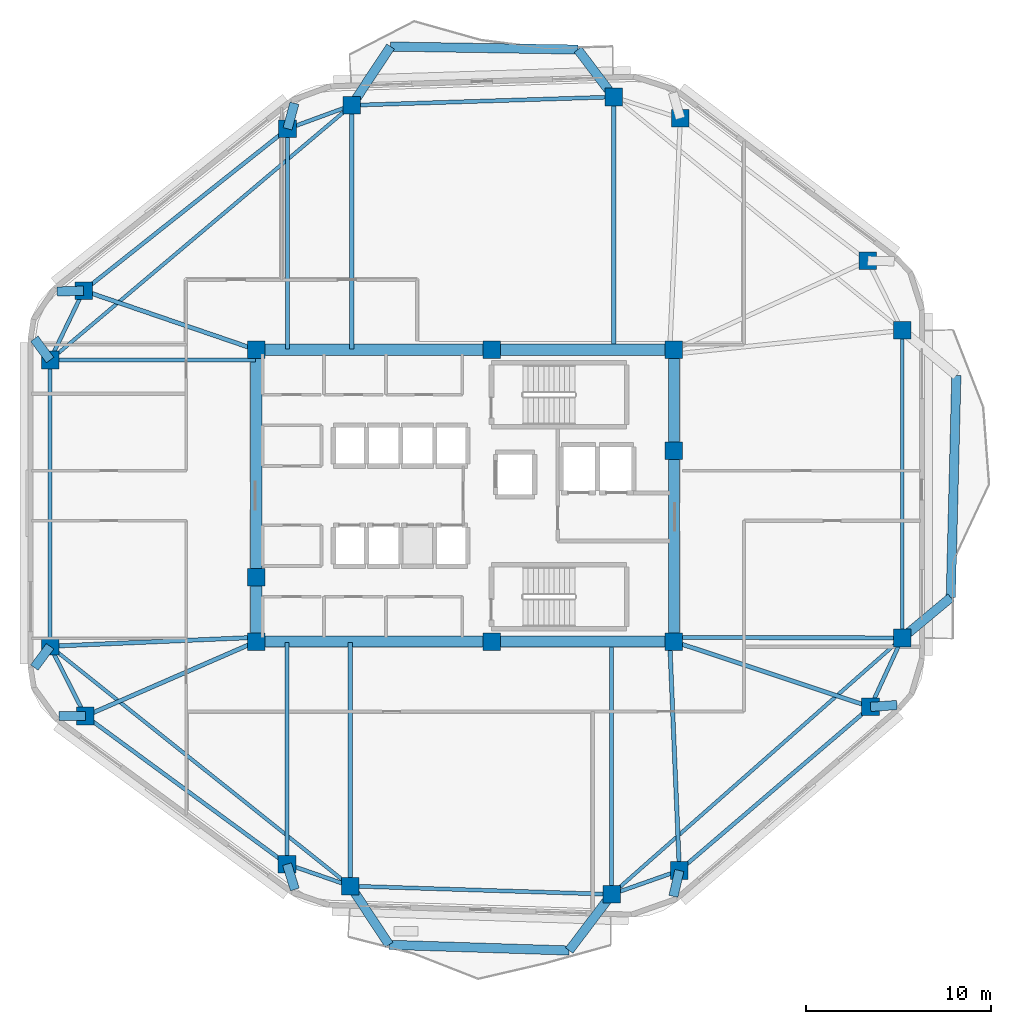
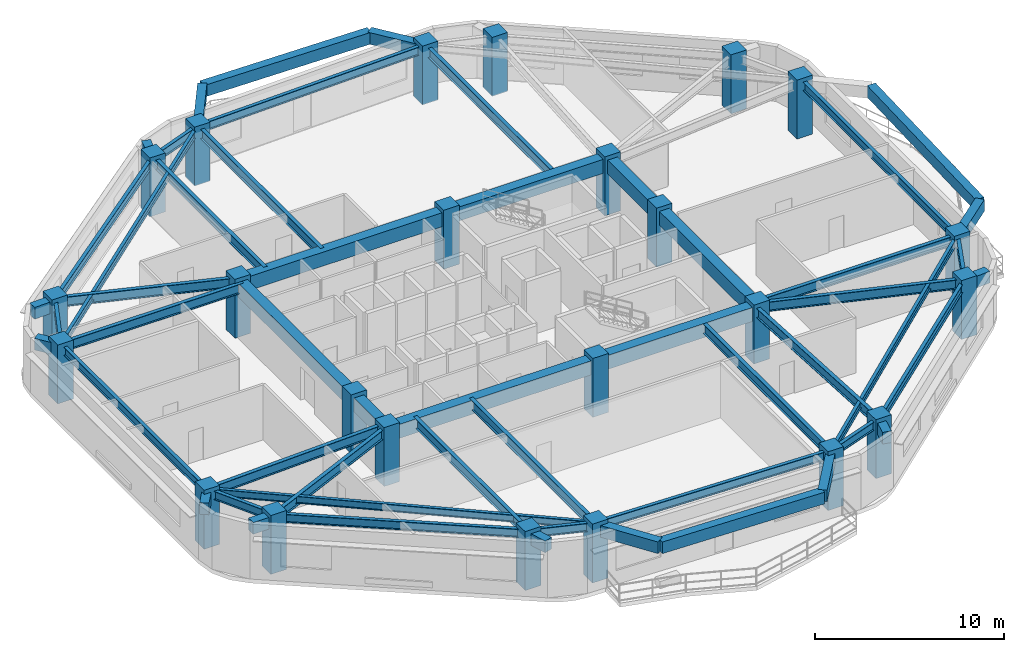
# One storey, part 1 of 9: 53 beams, 24 columns.
"""IFC4 building model written with IfcOpenShell, lengths in metres."""

import ifcopenshell
import ifcopenshell.guid

model = None  # the IFC model being written
_history = None  # IfcOwnerHistory: only IFC2X3 demands one
_inside = {}  # id of a spatial element -> (the spatial element, [elements in it])
_under = {}  # id of a project, library or spatial element -> (it, [spatial elements below it])
_declared = {}  # id of a project -> (the project, [libraries it declares])
_typed = {}  # id of a type object -> (the type object, [elements of that type])
_made_of = {}  # id of a material, layer set ... -> (it, [elements and type objects made of it])


def new_model(schema):
    """Start an empty IFC model of exactly this schema.

    Asked for "IFC4X3", IfcOpenShell would pick the latest addendum, in which some entities
    have other attributes; the version numbers below select the first issue.
    IFC2X3 requires an IfcOwnerHistory on every rooted entity: one is made here for all.
    """
    global model, _history
    if schema == "IFC4X3":
        model = ifcopenshell.file(schema_version=(4, 3, 0, 0))
    else:
        model = ifcopenshell.file(schema=schema)
    _inside.clear()
    _under.clear()
    _declared.clear()
    _typed.clear()
    _made_of.clear()
    _history = None
    if model.schema == "IFC2X3":
        org = make("IfcOrganization", Name="unknown")
        user = make(
            "IfcPersonAndOrganization",
            ThePerson=make("IfcPerson", FamilyName="unknown"),
            TheOrganization=org,
        )
        app = make(
            "IfcApplication",
            ApplicationDeveloper=org,
            Version="unknown",
            ApplicationFullName="unknown",
            ApplicationIdentifier="unknown",
        )
        _history = make(
            "IfcOwnerHistory",
            OwningUser=user,
            OwningApplication=app,
            ChangeAction="ADDED",
            CreationDate=0,
        )
    return model


def make(cls, **values):
    """One entity of the class cls with the attributes given. An attribute that is None is left unset."""
    return model.create_entity(
        cls, **{name: value for name, value in values.items() if value is not None}
    )


def rooted(cls, **values):
    """An entity with a GlobalId (a new one), such as an element, a storey or a relation."""
    return make(cls, GlobalId=ifcopenshell.guid.new(), OwnerHistory=_history, **values)


def si_unit(unit_type, name, prefix=None):
    """IfcSIUnit, for example si_unit("LENGTHUNIT", "METRE", prefix="MILLI")."""
    return make("IfcSIUnit", UnitType=unit_type, Prefix=prefix, Name=name)


def assignment(units):
    """IfcUnitAssignment: the units of a project."""
    return None if units is None else make("IfcUnitAssignment", Units=units)


def point(xyz):
    """IfcCartesianPoint."""
    return None if xyz is None else make("IfcCartesianPoint", Coordinates=xyz)


def direction(xyz):
    """IfcDirection."""
    return None if xyz is None else make("IfcDirection", DirectionRatios=xyz)


def frame(location, z_axis=None, x_axis=None):
    """IfcAxis2Placement3D, a coordinate frame: its origin and axes. An axis left out is left unset."""
    return make(
        "IfcAxis2Placement3D",
        Location=point(location),
        Axis=direction(z_axis),
        RefDirection=direction(x_axis),
    )


def frame_2d(location, x_axis=None):
    """IfcAxis2Placement2D, a coordinate frame in the plane: its origin and x axis."""
    return make(
        "IfcAxis2Placement2D", Location=point(location), RefDirection=direction(x_axis)
    )


def origin():
    """The frame at (0, 0, 0) with its axes left unset."""
    return frame((0.0, 0.0, 0.0))


def origin_2d():
    """The frame at (0, 0) in the plane with its x axis left unset."""
    return frame_2d((0.0, 0.0))


def place(relative_to, where):
    """IfcLocalPlacement: puts the frame where relative to a parent placement (None: the world)."""
    return make(
        "IfcLocalPlacement", PlacementRelTo=relative_to, RelativePlacement=where
    )


def context(
    kind, dimensions, precision=None, world=None, true_north=None, identifier=None
):
    """IfcGeometricRepresentationContext, for example the 3D "Model" context."""
    return make(
        "IfcGeometricRepresentationContext",
        ContextIdentifier=identifier,
        ContextType=kind,
        CoordinateSpaceDimension=dimensions,
        Precision=precision,
        WorldCoordinateSystem=world,
        TrueNorth=true_north,
    )


def subcontext(parent, identifier, kind, view, scale=None):
    """IfcGeometricRepresentationSubContext, for example "Body" below "Model"."""
    return make(
        "IfcGeometricRepresentationSubContext",
        ContextIdentifier=identifier,
        ContextType=kind,
        ParentContext=parent,
        TargetScale=scale,
        TargetView=view,
    )


def project(units=None, contexts=None):
    """IfcProject with its units and contexts."""
    return rooted(
        "IfcProject",
        Name="project",
        RepresentationContexts=contexts,
        UnitsInContext=assignment(units),
    )


def spatial(cls, under=None, at=None, **own):
    """A site, building, storey or space (cls), placed at a placement, below another one or the project."""
    s = rooted(cls, ObjectPlacement=at, **own)
    if under is not None:
        _under.setdefault(under.id(), (under, []))[1].append(s)
    return s


def profile(cls, at=None, kind="AREA", **sizes):
    """A parametric profile (cls). Its sizes go by their IFC names, for example OverallWidth=200.0."""
    return make(cls, ProfileType=kind, Position=at, **sizes)


def rectangle(**sizes):
    """IfcRectangleProfileDef."""
    return profile("IfcRectangleProfileDef", **sizes)


def i_section(**sizes):
    """IfcIShapeProfileDef."""
    return profile("IfcIShapeProfileDef", **sizes)


def extrude(swept, where, along, depth):
    """IfcExtrudedAreaSolid: the profile swept, set in the frame where, extruded along a direction by depth."""
    return make(
        "IfcExtrudedAreaSolid",
        SweptArea=swept,
        Position=where,
        ExtrudedDirection=direction(along),
        Depth=depth,
    )


def shape(context_of_items, identifier, shape_type, items):
    """IfcShapeRepresentation: the items that make up one representation, for example the "Body"."""
    return make(
        "IfcShapeRepresentation",
        ContextOfItems=context_of_items,
        RepresentationIdentifier=identifier,
        RepresentationType=shape_type,
        Items=items,
    )


def material(Name=None, Category=None):
    """IfcMaterial."""
    return make("IfcMaterial", Name=Name, Category=Category)


def material_profile(
    of_material, cross_section, Name=None, Category=None, Priority=None
):
    """IfcMaterialProfile: a cross section and its material."""
    return make(
        "IfcMaterialProfile",
        Name=Name,
        Material=of_material,
        Profile=cross_section,
        Priority=Priority,
        Category=Category,
    )


def profile_set(profiles, Name=None, composite=None):
    """IfcMaterialProfileSet."""
    return make(
        "IfcMaterialProfileSet",
        Name=Name,
        MaterialProfiles=profiles,
        CompositeProfile=composite,
    )


def made_of(thing, what):
    """Note that an element or type object is made of a material, layer set ...; save() writes the relation."""
    if what is not None:
        _made_of.setdefault(what.id(), (what, []))[1].append(thing)
    return thing


def type_object(cls, material=None, **own):
    """A type object (cls), such as IfcWallType, which elements share."""
    return made_of(rooted(cls, **own), material)


def element(
    cls,
    number,
    at=None,
    inside=None,
    cuts=None,
    type_object=None,
    material=None,
    context=None,
    identifier="Body",
    shape_type=None,
    held_by="IfcProductDefinitionShape",
    body=None,
    shapes=None,
    **own,
):
    """One element of the class cls, such as IfcWall. Its Tag is "e" and its number.

    at: its placement. inside: the storey or other place that contains it. cuts: it is an
    opening in that element (IfcRelVoidsElement). A single representation is given by context,
    identifier, shape_type and body (its items); several are given by shapes. held_by: the class
    of the entity that holds the representations. save() writes the other relations.
    """
    e = rooted(cls, Tag="e%d" % number, ObjectPlacement=at, **own)
    if body is not None:
        shapes = [shape(context, identifier, shape_type, body)]
    if shapes is not None:
        e.Representation = make(held_by, Representations=shapes)
    if inside is not None:
        _inside.setdefault(inside.id(), (inside, []))[1].append(e)
    if cuts is not None:
        rooted(
            "IfcRelVoidsElement", RelatingBuildingElement=cuts, RelatedOpeningElement=e
        )
    if type_object is not None:
        _typed.setdefault(type_object.id(), (type_object, []))[1].append(e)
    return made_of(e, material)


def aggregate(whole, parts):
    """IfcRelAggregates: a whole, such as a stair, and the parts it consists of."""
    return rooted("IfcRelAggregates", RelatingObject=whole, RelatedObjects=parts)


def save(model, path):
    """Write the relations noted so far, then the file.

    IfcRelAggregates (storeys below a building ...), IfcRelContainedInSpatialStructure (elements
    in a storey), IfcRelDefinesByType, IfcRelAssociatesMaterial and IfcRelDeclares: one each for
    every whole, place, type object, material and project.
    """
    for whole, parts in _under.values():
        aggregate(whole, parts)
    for where, things in _inside.values():
        rooted(
            "IfcRelContainedInSpatialStructure",
            RelatedElements=things,
            RelatingStructure=where,
        )
    for kind, things in _typed.values():
        rooted("IfcRelDefinesByType", RelatedObjects=things, RelatingType=kind)
    for what, things in _made_of.values():
        rooted("IfcRelAssociatesMaterial", RelatedObjects=things, RelatingMaterial=what)
    for by, libraries in _declared.values():
        rooted("IfcRelDeclares", RelatingContext=by, RelatedDefinitions=libraries)
    model.write(path)


model = new_model("IFC4")

# Units and contexts
model_context = context("Model", 3, precision=1e-05, world=origin(), true_north=direction((0.0, 1.0)))
body_context = subcontext(model_context, "Body", "Model", "MODEL_VIEW")
ifc_project = project(units=[si_unit("LENGTHUNIT", "METRE"), si_unit("AREAUNIT", "SQUARE_METRE"), si_unit("VOLUMEUNIT", "CUBIC_METRE"), si_unit("PLANEANGLEUNIT", "RADIAN"), si_unit("MASSUNIT", "GRAM", prefix="KILO")], contexts=[model_context])

# Site, building, storey
site_placement = place(None, origin())
site = spatial("IfcSite", under=ifc_project, at=site_placement, CompositionType="ELEMENT")
building_placement = place(site_placement, origin())
building = spatial("IfcBuilding", under=site, at=building_placement, Name="Zulverin Broadcast Headquarters", CompositionType="ELEMENT")
storey_placement = place(building_placement, frame((0.0, 0.0, 159.199951171875)))
storey = spatial("IfcBuildingStorey", under=building, at=storey_placement, Name="L40", CompositionType="ELEMENT", Elevation=159.199951171875)

# Columns
ifc_material_1 = material(Name="Concrete C50/60", Category="concrete")
ifc_material_profile_1 = material_profile(ifc_material_1, rectangle(XDim=0.949951171875, YDim=0.949951171875, at=origin_2d()), Name="Concrete C50/60", Category="concrete")
ifc_profile_set_1 = profile_set([ifc_material_profile_1], Name="Concrete C50/60")
column_type_1 = type_object("IfcColumnType", Name="COL-RC-950", PredefinedType="COLUMN", material=ifc_profile_set_1)
for number, where, z_axis, x_axis, name in (
    (1, (30.80859375, 4.12744140625, 0.0), (0.0, 0.0, 1.0), (1.0, 0.0, 0.0), "L40 Perimeter Column T01"),
    (2, (44.909912109375, 3.68017578125, 0.0), (0.0, 0.0, 1.0), (1.0, 0.0, 0.0), "L40 Perimeter Column T02"),
    (3, (48.569580078125, 4.967041015625, 0.0), (0.0, 0.0, 1.0), (1.0, 0.0, 0.0), "L40 Perimeter Column T03"),
    (4, (58.886962890625, 13.798095703125, 0.0), (0.0, 0.0, 1.0), (1.0, 0.0, 0.0), "L40 Perimeter Column T04"),
    (5, (60.60009765625, 17.519287109375, 0.0), (0.0, 0.0, 1.0), (1.0, 0.0, 0.0), "L40 Perimeter Column T05"),
    (6, (60.60009765625, 34.12158203125, 0.0), (0.0, 0.0, 1.0), (1.0, 0.0, 0.0), "L40 Perimeter Column T06"),
    (7, (58.738037109375, 37.877685546875, 0.0), (0.0, 0.0, 1.0), (1.0, 0.0, 0.0), "L40 Perimeter Column T07"),
    (8, (48.62158203125, 45.574951171875, 0.0), (0.0, 0.0, 1.0), (1.0, 0.0, 0.0), "L40 Perimeter Column T08"),
    (9, (45.027587890625, 46.7236328125, 0.0), (0.0, 0.0, 1.0), (1.0, 0.0, 0.0), "L40 Perimeter Column T09"),
    (10, (30.882080078125, 46.27490234375, 0.0), (0.0, 0.0, 1.0), (1.0, 0.0, 0.0), "L40 Perimeter Column T10"),
    (11, (27.416259765625, 45.00439453125, 0.0), (0.0, 0.0, 1.0), (1.0, 0.0, 0.0), "L40 Perimeter Column T11"),
    (12, (16.40869140625, 36.26806640625, 0.0), (0.0, 0.0, 1.0), (1.0, 0.0, 0.0), "L40 Perimeter Column T12"),
    (13, (14.60009765625, 32.523193359375, 0.0), (0.0, 0.0, 1.0), (1.0, 0.0, 0.0), "L40 Perimeter Column T13"),
    (14, (14.60009765625, 17.072021484375, 0.0), (0.0, 0.0, 1.0), (1.0, 0.0, 0.0), "L40 Perimeter Column T14"),
    (15, (16.50537109375, 13.306884765625, 0.0), (0.0, 0.0, 1.0), (1.0, 0.0, 0.0), "L40 Perimeter Column T15"),
    (16, (27.38720703125, 5.309814453125, 0.0), (0.0, 0.0, 1.0), (1.0, 0.0, 0.0), "L40 Perimeter Column T16"),
):
    element("IfcColumn", number, at=place(storey_placement, frame(where, z_axis=z_axis, x_axis=x_axis)), inside=storey, type_object=column_type_1, Name=name, PredefinedType="COLUMN", context=body_context, shape_type="SweptSolid", body=[
        extrude(rectangle(XDim=0.949951171875, YDim=0.949951171875, at=origin_2d()), origin(), (0.0, 0.0, 1.0), 3.800048828125),
    ])
ifc_material_profile_2 = material_profile(ifc_material_1, rectangle(XDim=0.949951171875, YDim=0.949951171875, at=origin_2d()), Name="Concrete C50/60", Category="concrete")
ifc_profile_set_2 = profile_set([ifc_material_profile_2], Name="Concrete C50/60")
column_type_2 = type_object("IfcColumnType", Name="PIL-RC-950", PredefinedType="PILASTER", material=ifc_profile_set_2)
for number, where, z_axis, x_axis, name in (
    (17, (25.72509765625, 17.324951171875, 0.0), (0.0, 0.0, 1.0), (1.0, 0.0, 0.0), "L40 Core Pilaster K01"),
    (18, (38.449951171875, 17.324951171875, 0.0), (0.0, 0.0, 1.0), (1.0, 0.0, 0.0), "L40 Core Pilaster K02"),
    (19, (48.27490234375, 17.324951171875, 0.0), (0.0, 0.0, 1.0), (1.0, 0.0, 0.0), "L40 Core Pilaster K03"),
    (20, (48.27490234375, 27.6201171875, 0.0), (0.0, 0.0, 1.0), (1.0, 0.0, 0.0), "L40 Core Pilaster K04"),
    (21, (48.27490234375, 33.074951171875, 0.0), (0.0, 0.0, 1.0), (1.0, 0.0, 0.0), "L40 Core Pilaster K05"),
    (22, (38.449951171875, 33.074951171875, 0.0), (0.0, 0.0, 1.0), (1.0, 0.0, 0.0), "L40 Core Pilaster K06"),
    (23, (25.72509765625, 33.074951171875, 0.0), (0.0, 0.0, 1.0), (1.0, 0.0, 0.0), "L40 Core Pilaster K07"),
    (24, (25.72509765625, 20.800048828125, 0.0), (0.0, 0.0, 1.0), (1.0, 0.0, 0.0), "L40 Core Pilaster K08"),
):
    element("IfcColumn", number, at=place(storey_placement, frame(where, z_axis=z_axis, x_axis=x_axis)), inside=storey, type_object=column_type_2, Name=name, PredefinedType="PILASTER", context=body_context, shape_type="SweptSolid", body=[
        extrude(rectangle(XDim=0.949951171875, YDim=0.949951171875, at=origin_2d()), origin(), (0.0, 0.0, 1.0), 3.800048828125),
    ])

# Beams
ifc_material_2 = material(Name="Concrete C60/75", Category="concrete")
ifc_material_profile_3 = material_profile(ifc_material_2, rectangle(XDim=0.60009765625, YDim=0.89990234375, at=origin_2d()), Name="Concrete C60/75", Category="concrete")
ifc_profile_set_3 = profile_set([ifc_material_profile_3], Name="Concrete C60/75")
beam_type_1 = type_object("IfcBeamType", Name="BM-CB-600x900", PredefinedType="LINTEL", material=ifc_profile_set_3)
beam_1_placement = place(storey_placement, frame((25.72509765625, 17.324951171875, 3.090087890625), z_axis=(1.0, 0.0, 0.0), x_axis=(0.0, 1.0, 0.0)))
element("IfcBeam", 25, at=beam_1_placement, inside=storey, type_object=beam_type_1, Name="L40 Core Coupling Girder K01-K02", PredefinedType="LINTEL", context=body_context, shape_type="SweptSolid", body=[
    extrude(rectangle(XDim=0.60009765625, YDim=0.89990234375, at=origin_2d()), origin(), (0.0, 0.0, 1.0), 12.724853515625),
])
beam_2_placement = place(storey_placement, frame((38.449951171875, 17.324951171875, 3.090087890625), z_axis=(1.0, 0.0, 0.0), x_axis=(0.0, 1.0, 0.0)))
element("IfcBeam", 26, at=beam_2_placement, inside=storey, type_object=beam_type_1, Name="L40 Core Coupling Girder K02-K03", PredefinedType="LINTEL", context=body_context, shape_type="SweptSolid", body=[
    extrude(rectangle(XDim=0.60009765625, YDim=0.89990234375, at=origin_2d()), origin(), (0.0, 0.0, 1.0), 9.824951171875),
])
beam_3_placement = place(storey_placement, frame((48.27490234375, 17.324951171875, 3.090087890625), z_axis=(0.0, 1.0, 0.0), x_axis=(-1.0, 0.0, 0.0)))
element("IfcBeam", 27, at=beam_3_placement, inside=storey, type_object=beam_type_1, Name="L40 Core Coupling Girder K03-K04", PredefinedType="LINTEL", context=body_context, shape_type="SweptSolid", body=[
    extrude(rectangle(XDim=0.60009765625, YDim=0.89990234375, at=origin_2d()), origin(), (0.0, 0.0, 1.0), 10.295166015625),
])
beam_4_placement = place(storey_placement, frame((48.27490234375, 27.6201171875, 3.090087890625), z_axis=(0.0, 1.0, 0.0), x_axis=(-1.0, 0.0, 0.0)))
element("IfcBeam", 28, at=beam_4_placement, inside=storey, type_object=beam_type_1, Name="L40 Core Coupling Girder K04-K05", PredefinedType="LINTEL", context=body_context, shape_type="SweptSolid", body=[
    extrude(rectangle(XDim=0.60009765625, YDim=0.89990234375, at=origin_2d()), origin(), (0.0, 0.0, 1.0), 5.454833984375),
])
beam_5_placement = place(storey_placement, frame((48.27490234375, 33.074951171875, 3.090087890625), z_axis=(-1.0, 0.0, 0.0), x_axis=(0.0, -1.0, 0.0)))
element("IfcBeam", 29, at=beam_5_placement, inside=storey, type_object=beam_type_1, Name="L40 Core Coupling Girder K05-K06", PredefinedType="LINTEL", context=body_context, shape_type="SweptSolid", body=[
    extrude(rectangle(XDim=0.60009765625, YDim=0.89990234375, at=origin_2d()), origin(), (0.0, 0.0, 1.0), 9.824951171875),
])
beam_6_placement = place(storey_placement, frame((38.449951171875, 33.074951171875, 3.090087890625), z_axis=(-1.0, 0.0, 0.0), x_axis=(0.0, -1.0, 0.0)))
element("IfcBeam", 30, at=beam_6_placement, inside=storey, type_object=beam_type_1, Name="L40 Core Coupling Girder K06-K07", PredefinedType="LINTEL", context=body_context, shape_type="SweptSolid", body=[
    extrude(rectangle(XDim=0.60009765625, YDim=0.89990234375, at=origin_2d()), origin(), (0.0, 0.0, 1.0), 12.724853515625),
])
beam_7_placement = place(storey_placement, frame((25.72509765625, 33.074951171875, 3.090087890625), z_axis=(0.0, -1.0, 0.0), x_axis=(1.0, 0.0, 0.0)))
element("IfcBeam", 31, at=beam_7_placement, inside=storey, type_object=beam_type_1, Name="L40 Core Coupling Girder K07-K08", PredefinedType="LINTEL", context=body_context, shape_type="SweptSolid", body=[
    extrude(rectangle(XDim=0.60009765625, YDim=0.89990234375, at=origin_2d()), origin(), (0.0, 0.0, 1.0), 12.27490234375),
])
beam_8_placement = place(storey_placement, frame((25.72509765625, 20.800048828125, 3.090087890625), z_axis=(0.0, -1.0, 0.0), x_axis=(1.0, 0.0, 0.0)))
element("IfcBeam", 32, at=beam_8_placement, inside=storey, type_object=beam_type_1, Name="L40 Core Coupling Girder K08-K01", PredefinedType="LINTEL", context=body_context, shape_type="SweptSolid", body=[
    extrude(rectangle(XDim=0.60009765625, YDim=0.89990234375, at=origin_2d()), origin(), (0.0, 0.0, 1.0), 3.47509765625),
])
ifc_material_3 = material(Name="Concrete C40/50", Category="concrete")
ifc_material_profile_4 = material_profile(ifc_material_3, rectangle(XDim=0.5, YDim=0.75, at=origin_2d()), Name="Concrete C40/50", Category="concrete")
ifc_profile_set_4 = profile_set([ifc_material_profile_4], Name="Concrete C40/50")
beam_type_2 = type_object("IfcBeamType", Name="BM-RC-500x750", PredefinedType="BEAM", material=ifc_profile_set_4)
for number, where, z_axis, x_axis, name in (
    (33, (48.569580078125, 4.967041015625, 3.1650390625), (-0.224497908308, -0.974474570815, 0.0), (0.974474570815, -0.224497908308, 0.0), "L41 Plate Overhang Back-Spanned Beam OVR-03"),
    (34, (58.886962890625, 13.798095703125, 3.1650390625), (0.997450894981, 0.071356233801, 0.0), (-0.071356233801, 0.997450894981, 0.0), "L41 Plate Overhang Back-Spanned Beam OVR-04"),
    (35, (27.416259765625, 45.00439453125, 3.1650390625), (0.260328526912, 0.965520097189, 0.0), (-0.965520097189, 0.260328526912, 0.0), "L41 Plate Overhang Back-Spanned Beam OVR-11"),
):
    element("IfcBeam", number, at=place(storey_placement, frame(where, z_axis=z_axis, x_axis=x_axis)), inside=storey, type_object=beam_type_2, Name=name, PredefinedType="BEAM", context=body_context, shape_type="SweptSolid", body=[
        extrude(rectangle(XDim=0.5, YDim=0.75, at=origin_2d()), origin(), (0.0, 0.0, 1.0), 1.43017578125),
    ])
for number, where, z_axis, x_axis, name in (
    (36, (16.40869140625, 36.26806640625, 3.1650390625), (-0.999411057508, -0.034315275463, 0.0), (0.034315275463, -0.999411057508, 0.0), "L41 Plate Overhang Back-Spanned Beam OVR-12"),
    (37, (14.60009765625, 32.523193359375, 3.1650390625), (-0.594467864193, 0.804119368279, 0.0), (-0.804119368279, -0.594467864193, 0.0), "L41 Plate Overhang Back-Spanned Beam OVR-13"),
):
    element("IfcBeam", number, at=place(storey_placement, frame(where, z_axis=z_axis, x_axis=x_axis)), inside=storey, type_object=beam_type_2, Name=name, PredefinedType="BEAM", context=body_context, shape_type="SweptSolid", body=[
        extrude(rectangle(XDim=0.5, YDim=0.75, at=origin_2d()), origin(), (0.0, 0.0, 1.0), 1.429931640625),
    ])
beam_9_placement = place(storey_placement, frame((14.60009765625, 17.072021484375, 3.1650390625), z_axis=(-0.594386261368, -0.80417968906, 0.0), x_axis=(0.80417968906, -0.594386261368, 0.0)))
element("IfcBeam", 38, at=beam_9_placement, inside=storey, type_object=beam_type_2, Name="L41 Plate Overhang Back-Spanned Beam OVR-14", PredefinedType="BEAM", context=body_context, shape_type="SweptSolid", body=[
    extrude(rectangle(XDim=0.5, YDim=0.75, at=origin_2d()), origin(), (0.0, 0.0, 1.0), 1.43017578125),
])
beam_10_placement = place(storey_placement, frame((16.50537109375, 13.306884765625, 3.1650390625), z_axis=(-0.999996268726, -0.002731763753, 0.0), x_axis=(0.002731763753, -0.999996268726, 0.0)))
element("IfcBeam", 39, at=beam_10_placement, inside=storey, type_object=beam_type_2, Name="L41 Plate Overhang Back-Spanned Beam OVR-15", PredefinedType="BEAM", context=body_context, shape_type="SweptSolid", body=[
    extrude(rectangle(XDim=0.5, YDim=0.75, at=origin_2d()), origin(), (0.0, 0.0, 1.0), 1.429931640625),
])
beam_11_placement = place(storey_placement, frame((27.38720703125, 5.309814453125, 3.1650390625), z_axis=(0.296184429368, -0.955130767905, 0.0), x_axis=(0.955130767905, 0.296184429368, 0.0)))
element("IfcBeam", 40, at=beam_11_placement, inside=storey, type_object=beam_type_2, Name="L41 Plate Overhang Back-Spanned Beam OVR-16", PredefinedType="BEAM", context=body_context, shape_type="SweptSolid", body=[
    extrude(rectangle(XDim=0.5, YDim=0.75, at=origin_2d()), origin(), (0.0, 0.0, 1.0), 1.43017578125),
])
beam_12_placement = place(storey_placement, frame((60.60009765625, 17.519287109375, 3.1650390625), z_axis=(0.768414935557, 0.639951941019, 0.0), x_axis=(-0.639951941019, 0.768414935557, 0.0)))
element("IfcBeam", 41, at=beam_12_placement, inside=storey, type_object=beam_type_2, Name="L41 Balcony Column-Framed Cantilever BAL_E-1", PredefinedType="BEAM", context=body_context, shape_type="SweptSolid", body=[
    extrude(rectangle(XDim=0.5, YDim=0.75, at=origin_2d()), origin(), (0.0, 0.0, 1.0), 3.409423828125),
])
beam_13_placement = place(storey_placement, frame((63.219970703125, 19.701171875, 3.1650390625), z_axis=(0.025020166122, 0.999686946642, 0.0), x_axis=(-0.999686946642, 0.025020166122, 0.0)))
element("IfcBeam", 42, at=beam_13_placement, inside=storey, type_object=beam_type_2, Name="L41 Balcony Outer Edge Trimmer Beam BAL_E", PredefinedType="BEAM", context=body_context, shape_type="SweptSolid", body=[
    extrude(rectangle(XDim=0.5, YDim=0.75, at=origin_2d()), origin(), (0.0, 0.0, 1.0), 11.9921875),
])
beam_14_placement = place(storey_placement, frame((30.80859375, 4.12744140625, 3.1650390625), z_axis=(0.550750010235, -0.834670249995, 0.0), x_axis=(0.834670249995, 0.550750010235, 0.0)))
element("IfcBeam", 43, at=beam_14_placement, inside=storey, type_object=beam_type_2, Name="L41 Balcony Column-Framed Cantilever BAL_S-1", PredefinedType="BEAM", context=body_context, shape_type="SweptSolid", body=[
    extrude(rectangle(XDim=0.5, YDim=0.75, at=origin_2d()), origin(), (0.0, 0.0, 1.0), 3.7998046875),
])
beam_15_placement = place(storey_placement, frame((44.909912109375, 3.68017578125, 3.1650390625), z_axis=(-0.602566759329, -0.798068481116, 0.0), x_axis=(0.798068481116, -0.602566759329, 0.0)))
element("IfcBeam", 44, at=beam_15_placement, inside=storey, type_object=beam_type_2, Name="L41 Balcony Column-Framed Cantilever BAL_S-2", PredefinedType="BEAM", context=body_context, shape_type="SweptSolid", body=[
    extrude(rectangle(XDim=0.5, YDim=0.75, at=origin_2d()), origin(), (0.0, 0.0, 1.0), 3.800048828125),
])
beam_16_placement = place(storey_placement, frame((32.9013671875, 0.955810546875, 3.1650390625), z_axis=(0.999497069167, -0.031711334364, 0.0), x_axis=(0.031711334364, 0.999497069167, 0.0)))
element("IfcBeam", 45, at=beam_16_placement, inside=storey, type_object=beam_type_2, Name="L41 Balcony Outer Edge Trimmer Beam BAL_S", PredefinedType="BEAM", context=body_context, shape_type="SweptSolid", body=[
    extrude(rectangle(XDim=0.5, YDim=0.75, at=origin_2d()), origin(), (0.0, 0.0, 1.0), 9.7236328125),
])
beam_17_placement = place(storey_placement, frame((45.027587890625, 46.7236328125, 3.1650390625), z_axis=(-0.60375228791, 0.797171985737, 0.0), x_axis=(-0.797171985737, -0.60375228791, 0.0)))
element("IfcBeam", 46, at=beam_17_placement, inside=storey, type_object=beam_type_2, Name="L41 Balcony Column-Framed Cantilever BAL_N-1", PredefinedType="BEAM", context=body_context, shape_type="SweptSolid", body=[
    extrude(rectangle(XDim=0.5, YDim=0.75, at=origin_2d()), origin(), (0.0, 0.0, 1.0), 3.211181640625),
])
beam_18_placement = place(storey_placement, frame((30.882080078125, 46.27490234375, 3.1650390625), z_axis=(0.551998960416, 0.833844798329, 0.0), x_axis=(-0.833844798329, 0.551998960416, 0.0)))
element("IfcBeam", 47, at=beam_18_placement, inside=storey, type_object=beam_type_2, Name="L41 Balcony Column-Framed Cantilever BAL_N-2", PredefinedType="BEAM", context=body_context, shape_type="SweptSolid", body=[
    extrude(rectangle(XDim=0.5, YDim=0.75, at=origin_2d()), origin(), (0.0, 0.0, 1.0), 3.800048828125),
])
beam_19_placement = place(storey_placement, frame((43.0888671875, 49.283447265625, 3.1650390625), z_axis=(-0.999874527542, 0.015840744079, 0.0), x_axis=(-0.015840744079, -0.999874527542, 0.0)))
element("IfcBeam", 48, at=beam_19_placement, inside=storey, type_object=beam_type_2, Name="L41 Balcony Outer Edge Trimmer Beam BAL_N", PredefinedType="BEAM", context=body_context, shape_type="SweptSolid", body=[
    extrude(rectangle(XDim=0.5, YDim=0.75, at=origin_2d()), origin(), (0.0, 0.0, 1.0), 10.1103515625),
])
ifc_material_4 = material(Name="Structural steel S355JR", Category="steel")
ifc_material_profile_5 = material_profile(ifc_material_4, i_section(OverallWidth=0.19287109375, OverallDepth=0.46728515625, WebThickness=0.011474609375, FlangeThickness=0.01953125, at=origin_2d()), Name="Structural steel S355JR", Category="steel")
ifc_profile_set_5 = profile_set([ifc_material_profile_5], Name="Structural steel S355JR")
beam_type_3 = type_object("IfcBeamType", Name="BM-UB-457", PredefinedType="JOIST", material=ifc_profile_set_5)
beam_20_placement = place(storey_placement, frame((44.909912109375, 3.68017578125, 3.306396484375), z_axis=(0.74996043981, 0.661482682102, 0.0), x_axis=(-0.661482682102, 0.74996043981, 0.0)))
element("IfcBeam", 49, at=beam_20_placement, inside=storey, type_object=beam_type_3, Name="L40 Chordal Floor Joist J-01", PredefinedType="JOIST", context=body_context, shape_type="SweptSolid", body=[
    extrude(i_section(OverallWidth=0.19287109375, OverallDepth=0.46728515625, WebThickness=0.011474609375, FlangeThickness=0.01953125, at=origin_2d()), origin(), (0.0, 0.0, 1.0), 20.92138671875),
])
beam_21_placement = place(storey_placement, frame((30.882080078125, 46.27490234375, 3.306396484375), z_axis=(-0.763972566446, -0.645248725468, 0.0), x_axis=(0.645248725468, -0.763972566446, 0.0)))
element("IfcBeam", 50, at=beam_21_placement, inside=storey, type_object=beam_type_3, Name="L40 Chordal Floor Joist J-03", PredefinedType="JOIST", context=body_context, shape_type="SweptSolid", body=[
    extrude(i_section(OverallWidth=0.19287109375, OverallDepth=0.46728515625, WebThickness=0.011474609375, FlangeThickness=0.01953125, at=origin_2d()), origin(), (0.0, 0.0, 1.0), 21.312255859375),
])
beam_22_placement = place(storey_placement, frame((14.60009765625, 17.072021484375, 3.306396484375), z_axis=(0.781390996609, -0.624041753746, 0.0), x_axis=(0.624041753746, 0.781390996609, 0.0)))
element("IfcBeam", 51, at=beam_22_placement, inside=storey, type_object=beam_type_3, Name="L40 Chordal Floor Joist J-04", PredefinedType="JOIST", context=body_context, shape_type="SweptSolid", body=[
    extrude(i_section(OverallWidth=0.19287109375, OverallDepth=0.46728515625, WebThickness=0.011474609375, FlangeThickness=0.01953125, at=origin_2d()), origin(), (0.0, 0.0, 1.0), 20.7431640625),
])
ifc_material_profile_6 = material_profile(ifc_material_4, i_section(OverallWidth=0.2119140625, OverallDepth=0.54443359375, WebThickness=0.0126953125, FlangeThickness=0.021240234375, at=origin_2d()), Name="Structural steel S355JR", Category="steel")
ifc_profile_set_6 = profile_set([ifc_material_profile_6], Name="Structural steel S355JR")
beam_type_4 = type_object("IfcBeamType", Name="BM-UB-533", PredefinedType="SPANDREL", material=ifc_profile_set_6)
beam_23_placement = place(storey_placement, frame((30.80859375, 4.12744140625, 3.267822265625), z_axis=(0.999497363437, -0.031702058031, 0.0), x_axis=(0.031702058031, 0.999497363437, 0.0)))
element("IfcBeam", 52, at=beam_23_placement, inside=storey, type_object=beam_type_4, Name="L40 Perimeter Spandrel Beam SP-01", PredefinedType="SPANDREL", context=body_context, shape_type="SweptSolid", body=[
    extrude(i_section(OverallWidth=0.2119140625, OverallDepth=0.54443359375, WebThickness=0.0126953125, FlangeThickness=0.021240234375, at=origin_2d()), origin(), (0.0, 0.0, 1.0), 14.1083984375),
])
beam_24_placement = place(storey_placement, frame((44.909912109375, 3.68017578125, 3.267822265625), z_axis=(0.943376593622, 0.331723684121, 0.0), x_axis=(-0.331723684121, 0.943376593622, 0.0)))
element("IfcBeam", 53, at=beam_24_placement, inside=storey, type_object=beam_type_4, Name="L40 Perimeter Spandrel Beam SP-02", PredefinedType="SPANDREL", context=body_context, shape_type="SweptSolid", body=[
    extrude(i_section(OverallWidth=0.2119140625, OverallDepth=0.54443359375, WebThickness=0.0126953125, FlangeThickness=0.021240234375, at=origin_2d()), origin(), (0.0, 0.0, 1.0), 3.87939453125),
])
beam_25_placement = place(storey_placement, frame((48.569580078125, 4.967041015625, 3.267822265625), z_axis=(0.759708170965, 0.650264173217, 0.0), x_axis=(-0.650264173217, 0.759708170965, 0.0)))
element("IfcBeam", 54, at=beam_25_placement, inside=storey, type_object=beam_type_4, Name="L40 Perimeter Spandrel Beam SP-03", PredefinedType="SPANDREL", context=body_context, shape_type="SweptSolid", body=[
    extrude(i_section(OverallWidth=0.2119140625, OverallDepth=0.54443359375, WebThickness=0.0126953125, FlangeThickness=0.021240234375, at=origin_2d()), origin(), (0.0, 0.0, 1.0), 13.580810546875),
])
beam_26_placement = place(storey_placement, frame((58.886962890625, 13.798095703125, 3.267822265625), z_axis=(0.418184975358, 0.90836189175, 0.0), x_axis=(-0.90836189175, 0.418184975358, 0.0)))
element("IfcBeam", 55, at=beam_26_placement, inside=storey, type_object=beam_type_4, Name="L40 Perimeter Spandrel Beam SP-04", PredefinedType="SPANDREL", context=body_context, shape_type="SweptSolid", body=[
    extrude(i_section(OverallWidth=0.2119140625, OverallDepth=0.54443359375, WebThickness=0.0126953125, FlangeThickness=0.021240234375, at=origin_2d()), origin(), (0.0, 0.0, 1.0), 4.0966796875),
])
beam_27_placement = place(storey_placement, frame((60.60009765625, 17.519287109375, 3.267822265625), z_axis=(0.0, 1.0, 0.0), x_axis=(-1.0, 0.0, 0.0)))
element("IfcBeam", 56, at=beam_27_placement, inside=storey, type_object=beam_type_4, Name="L40 Perimeter Spandrel Beam SP-05", PredefinedType="SPANDREL", context=body_context, shape_type="SweptSolid", body=[
    extrude(i_section(OverallWidth=0.2119140625, OverallDepth=0.54443359375, WebThickness=0.0126953125, FlangeThickness=0.021240234375, at=origin_2d()), origin(), (0.0, 0.0, 1.0), 16.602294921875),
])
beam_28_placement = place(storey_placement, frame((45.027587890625, 46.7236328125, 3.267822265625), z_axis=(-0.999497221833, -0.031706522156, 0.0), x_axis=(0.031706522156, -0.999497221833, 0.0)))
element("IfcBeam", 57, at=beam_28_placement, inside=storey, type_object=beam_type_4, Name="L40 Perimeter Spandrel Beam SP-09", PredefinedType="SPANDREL", context=body_context, shape_type="SweptSolid", body=[
    extrude(i_section(OverallWidth=0.2119140625, OverallDepth=0.54443359375, WebThickness=0.0126953125, FlangeThickness=0.021240234375, at=origin_2d()), origin(), (0.0, 0.0, 1.0), 14.152587890625),
])
beam_29_placement = place(storey_placement, frame((30.882080078125, 46.27490234375, 3.267822265625), z_axis=(-0.938901965426, -0.344184687805, 0.0), x_axis=(0.344184687805, -0.938901965426, 0.0)))
element("IfcBeam", 58, at=beam_29_placement, inside=storey, type_object=beam_type_4, Name="L40 Perimeter Spandrel Beam SP-10", PredefinedType="SPANDREL", context=body_context, shape_type="SweptSolid", body=[
    extrude(i_section(OverallWidth=0.2119140625, OverallDepth=0.54443359375, WebThickness=0.0126953125, FlangeThickness=0.021240234375, at=origin_2d()), origin(), (0.0, 0.0, 1.0), 3.69140625),
])
beam_30_placement = place(storey_placement, frame((27.416259765625, 45.00439453125, 3.267822265625), z_axis=(-0.783283263401, -0.621664965457, 0.0), x_axis=(0.621664965457, -0.783283263401, 0.0)))
element("IfcBeam", 59, at=beam_30_placement, inside=storey, type_object=beam_type_4, Name="L40 Perimeter Spandrel Beam SP-11", PredefinedType="SPANDREL", context=body_context, shape_type="SweptSolid", body=[
    extrude(i_section(OverallWidth=0.2119140625, OverallDepth=0.54443359375, WebThickness=0.0126953125, FlangeThickness=0.021240234375, at=origin_2d()), origin(), (0.0, 0.0, 1.0), 14.05322265625),
])
beam_31_placement = place(storey_placement, frame((16.40869140625, 36.26806640625, 3.267822265625), z_axis=(-0.434890248034, -0.900483465792, 0.0), x_axis=(0.900483465792, -0.434890248034, 0.0)))
element("IfcBeam", 60, at=beam_31_placement, inside=storey, type_object=beam_type_4, Name="L40 Perimeter Spandrel Beam SP-12", PredefinedType="SPANDREL", context=body_context, shape_type="SweptSolid", body=[
    extrude(i_section(OverallWidth=0.2119140625, OverallDepth=0.54443359375, WebThickness=0.0126953125, FlangeThickness=0.021240234375, at=origin_2d()), origin(), (0.0, 0.0, 1.0), 4.15869140625),
])
beam_32_placement = place(storey_placement, frame((14.60009765625, 32.523193359375, 3.267822265625), z_axis=(0.0, -1.0, 0.0), x_axis=(1.0, 0.0, 0.0)))
element("IfcBeam", 61, at=beam_32_placement, inside=storey, type_object=beam_type_4, Name="L40 Perimeter Spandrel Beam SP-13", PredefinedType="SPANDREL", context=body_context, shape_type="SweptSolid", body=[
    extrude(i_section(OverallWidth=0.2119140625, OverallDepth=0.54443359375, WebThickness=0.0126953125, FlangeThickness=0.021240234375, at=origin_2d()), origin(), (0.0, 0.0, 1.0), 15.451171875),
])
beam_33_placement = place(storey_placement, frame((14.60009765625, 17.072021484375, 3.267822265625), z_axis=(0.451512947895, -0.892264567201, 0.0), x_axis=(0.892264567201, 0.451512947895, 0.0)))
element("IfcBeam", 62, at=beam_33_placement, inside=storey, type_object=beam_type_4, Name="L40 Perimeter Spandrel Beam SP-14", PredefinedType="SPANDREL", context=body_context, shape_type="SweptSolid", body=[
    extrude(i_section(OverallWidth=0.2119140625, OverallDepth=0.54443359375, WebThickness=0.0126953125, FlangeThickness=0.021240234375, at=origin_2d()), origin(), (0.0, 0.0, 1.0), 4.2197265625),
])
beam_34_placement = place(storey_placement, frame((16.50537109375, 13.306884765625, 3.267822265625), z_axis=(0.805802234061, -0.592184734338, 0.0), x_axis=(0.592184734338, 0.805802234061, 0.0)))
element("IfcBeam", 63, at=beam_34_placement, inside=storey, type_object=beam_type_4, Name="L40 Perimeter Spandrel Beam SP-15", PredefinedType="SPANDREL", context=body_context, shape_type="SweptSolid", body=[
    extrude(i_section(OverallWidth=0.2119140625, OverallDepth=0.54443359375, WebThickness=0.0126953125, FlangeThickness=0.021240234375, at=origin_2d()), origin(), (0.0, 0.0, 1.0), 13.50439453125),
])
beam_35_placement = place(storey_placement, frame((27.38720703125, 5.309814453125, 3.267822265625), z_axis=(0.945152732867, -0.326628705956, 0.0), x_axis=(0.326628705956, 0.945152732867, 0.0)))
element("IfcBeam", 64, at=beam_35_placement, inside=storey, type_object=beam_type_4, Name="L40 Perimeter Spandrel Beam SP-16", PredefinedType="SPANDREL", context=body_context, shape_type="SweptSolid", body=[
    extrude(i_section(OverallWidth=0.2119140625, OverallDepth=0.54443359375, WebThickness=0.0126953125, FlangeThickness=0.021240234375, at=origin_2d()), origin(), (0.0, 0.0, 1.0), 3.619873046875),
])
ifc_material_profile_7 = material_profile(ifc_material_4, i_section(OverallWidth=0.230224609375, OverallDepth=0.6171875, WebThickness=0.01318359375, FlangeThickness=0.022216796875, at=origin_2d()), Name="Structural steel S355JR", Category="steel")
ifc_profile_set_7 = profile_set([ifc_material_profile_7], Name="Structural steel S355JR")
beam_type_5 = type_object("IfcBeamType", Name="BM-UB-610", PredefinedType="BEAM", material=ifc_profile_set_7)
beam_36_placement = place(storey_placement, frame((30.80859375, 17.27490234375, 3.2314453125), z_axis=(0.0, -1.0, 0.0), x_axis=(1.0, 0.0, 0.0)))
element("IfcBeam", 65, at=beam_36_placement, inside=storey, type_object=beam_type_5, Name="L40 Radial Primary Floor Beam RB-01", PredefinedType="BEAM", context=body_context, shape_type="SweptSolid", body=[
    extrude(i_section(OverallWidth=0.230224609375, OverallDepth=0.6171875, WebThickness=0.01318359375, FlangeThickness=0.022216796875, at=origin_2d()), origin(), (0.0, 0.0, 1.0), 13.1474609375),
])
beam_37_placement = place(storey_placement, frame((44.909912109375, 17.27490234375, 3.2314453125), z_axis=(0.0, -1.0, 0.0), x_axis=(1.0, 0.0, 0.0)))
element("IfcBeam", 66, at=beam_37_placement, inside=storey, type_object=beam_type_5, Name="L40 Radial Primary Floor Beam RB-02", PredefinedType="BEAM", context=body_context, shape_type="SweptSolid", body=[
    extrude(i_section(OverallWidth=0.230224609375, OverallDepth=0.6171875, WebThickness=0.01318359375, FlangeThickness=0.022216796875, at=origin_2d()), origin(), (0.0, 0.0, 1.0), 13.5947265625),
])
beam_38_placement = place(storey_placement, frame((48.050048828125, 17.27490234375, 3.2314453125), z_axis=(0.042173778549, -0.99911029041, 0.0), x_axis=(0.99911029041, 0.042173778549, 0.0)))
element("IfcBeam", 67, at=beam_38_placement, inside=storey, type_object=beam_type_5, Name="L40 Radial Primary Floor Beam RB-03", PredefinedType="BEAM", context=body_context, shape_type="SweptSolid", body=[
    extrude(i_section(OverallWidth=0.230224609375, OverallDepth=0.6171875, WebThickness=0.01318359375, FlangeThickness=0.022216796875, at=origin_2d()), origin(), (0.0, 0.0, 1.0), 12.31884765625),
])
beam_39_placement = place(storey_placement, frame((48.27490234375, 17.324951171875, 3.2314453125), z_axis=(0.948964552547, -0.315382748432, 0.0), x_axis=(0.315382748432, 0.948964552547, 0.0)))
element("IfcBeam", 68, at=beam_39_placement, inside=storey, type_object=beam_type_5, Name="L40 Radial Primary Floor Beam RB-04", PredefinedType="BEAM", context=body_context, shape_type="SweptSolid", body=[
    extrude(i_section(OverallWidth=0.230224609375, OverallDepth=0.6171875, WebThickness=0.01318359375, FlangeThickness=0.022216796875, at=origin_2d()), origin(), (0.0, 0.0, 1.0), 11.182861328125),
])
beam_40_placement = place(storey_placement, frame((48.324951171875, 17.550048828125, 3.2314453125), z_axis=(0.999996859956, -0.002506008559, 0.0), x_axis=(0.002506008559, 0.999996859956, 0.0)))
element("IfcBeam", 69, at=beam_40_placement, inside=storey, type_object=beam_type_5, Name="L40 Radial Primary Floor Beam RB-05", PredefinedType="BEAM", context=body_context, shape_type="SweptSolid", body=[
    extrude(i_section(OverallWidth=0.230224609375, OverallDepth=0.6171875, WebThickness=0.01318359375, FlangeThickness=0.022216796875, at=origin_2d()), origin(), (0.0, 0.0, 1.0), 12.275146484375),
])
beam_41_placement = place(storey_placement, frame((45.027587890625, 33.125, 3.2314453125), z_axis=(0.0, 1.0, 0.0), x_axis=(-1.0, 0.0, 0.0)))
element("IfcBeam", 70, at=beam_41_placement, inside=storey, type_object=beam_type_5, Name="L40 Radial Primary Floor Beam RB-09", PredefinedType="BEAM", context=body_context, shape_type="SweptSolid", body=[
    extrude(i_section(OverallWidth=0.230224609375, OverallDepth=0.6171875, WebThickness=0.01318359375, FlangeThickness=0.022216796875, at=origin_2d()), origin(), (0.0, 0.0, 1.0), 13.5986328125),
])
beam_42_placement = place(storey_placement, frame((30.882080078125, 33.125, 3.2314453125), z_axis=(0.0, 1.0, 0.0), x_axis=(-1.0, 0.0, 0.0)))
element("IfcBeam", 71, at=beam_42_placement, inside=storey, type_object=beam_type_5, Name="L40 Radial Primary Floor Beam RB-10", PredefinedType="BEAM", context=body_context, shape_type="SweptSolid", body=[
    extrude(i_section(OverallWidth=0.230224609375, OverallDepth=0.6171875, WebThickness=0.01318359375, FlangeThickness=0.022216796875, at=origin_2d()), origin(), (0.0, 0.0, 1.0), 13.14990234375),
])
beam_43_placement = place(storey_placement, frame((27.416259765625, 33.125, 3.2314453125), z_axis=(0.0, 1.0, 0.0), x_axis=(-1.0, 0.0, 0.0)))
element("IfcBeam", 72, at=beam_43_placement, inside=storey, type_object=beam_type_5, Name="L40 Radial Primary Floor Beam RB-11", PredefinedType="BEAM", context=body_context, shape_type="SweptSolid", body=[
    extrude(i_section(OverallWidth=0.230224609375, OverallDepth=0.6171875, WebThickness=0.01318359375, FlangeThickness=0.022216796875, at=origin_2d()), origin(), (0.0, 0.0, 1.0), 11.87939453125),
])
beam_44_placement = place(storey_placement, frame((25.72509765625, 33.074951171875, 3.2314453125), z_axis=(-0.945979621685, 0.324226086793, 0.0), x_axis=(-0.324226086793, -0.945979621685, 0.0)))
element("IfcBeam", 73, at=beam_44_placement, inside=storey, type_object=beam_type_5, Name="L40 Radial Primary Floor Beam RB-12", PredefinedType="BEAM", context=body_context, shape_type="SweptSolid", body=[
    extrude(i_section(OverallWidth=0.230224609375, OverallDepth=0.6171875, WebThickness=0.01318359375, FlangeThickness=0.022216796875, at=origin_2d()), origin(), (0.0, 0.0, 1.0), 9.848388671875),
])
beam_45_placement = place(storey_placement, frame((25.675048828125, 32.523193359375, 3.2314453125), z_axis=(-1.0, 0.0, 0.0), x_axis=(0.0, -1.0, 0.0)))
element("IfcBeam", 74, at=beam_45_placement, inside=storey, type_object=beam_type_5, Name="L40 Radial Primary Floor Beam RB-13", PredefinedType="BEAM", context=body_context, shape_type="SweptSolid", body=[
    extrude(i_section(OverallWidth=0.230224609375, OverallDepth=0.6171875, WebThickness=0.01318359375, FlangeThickness=0.022216796875, at=origin_2d()), origin(), (0.0, 0.0, 1.0), 11.074951171875),
])
beam_46_placement = place(storey_placement, frame((25.675048828125, 17.550048828125, 3.2314453125), z_axis=(-0.999069780306, -0.043122779134, 0.0), x_axis=(0.043122779134, -0.999069780306, 0.0)))
element("IfcBeam", 75, at=beam_46_placement, inside=storey, type_object=beam_type_5, Name="L40 Radial Primary Floor Beam RB-14", PredefinedType="BEAM", context=body_context, shape_type="SweptSolid", body=[
    extrude(i_section(OverallWidth=0.230224609375, OverallDepth=0.6171875, WebThickness=0.01318359375, FlangeThickness=0.022216796875, at=origin_2d()), origin(), (0.0, 0.0, 1.0), 11.085205078125),
])
beam_47_placement = place(storey_placement, frame((25.72509765625, 17.324951171875, 3.2314453125), z_axis=(-0.916724690104, -0.39951951461, 0.0), x_axis=(0.39951951461, -0.916724690104, 0.0)))
element("IfcBeam", 76, at=beam_47_placement, inside=storey, type_object=beam_type_5, Name="L40 Radial Primary Floor Beam RB-15", PredefinedType="BEAM", context=body_context, shape_type="SweptSolid", body=[
    extrude(i_section(OverallWidth=0.230224609375, OverallDepth=0.6171875, WebThickness=0.01318359375, FlangeThickness=0.022216796875, at=origin_2d()), origin(), (0.0, 0.0, 1.0), 10.05712890625),
])
beam_48_placement = place(storey_placement, frame((27.38720703125, 17.27490234375, 3.2314453125), z_axis=(0.0, -1.0, 0.0), x_axis=(1.0, 0.0, 0.0)))
element("IfcBeam", 77, at=beam_48_placement, inside=storey, type_object=beam_type_5, Name="L40 Radial Primary Floor Beam RB-16", PredefinedType="BEAM", context=body_context, shape_type="SweptSolid", body=[
    extrude(i_section(OverallWidth=0.230224609375, OverallDepth=0.6171875, WebThickness=0.01318359375, FlangeThickness=0.022216796875, at=origin_2d()), origin(), (0.0, 0.0, 1.0), 11.965087890625),
])

save(model, "model.ifc")
